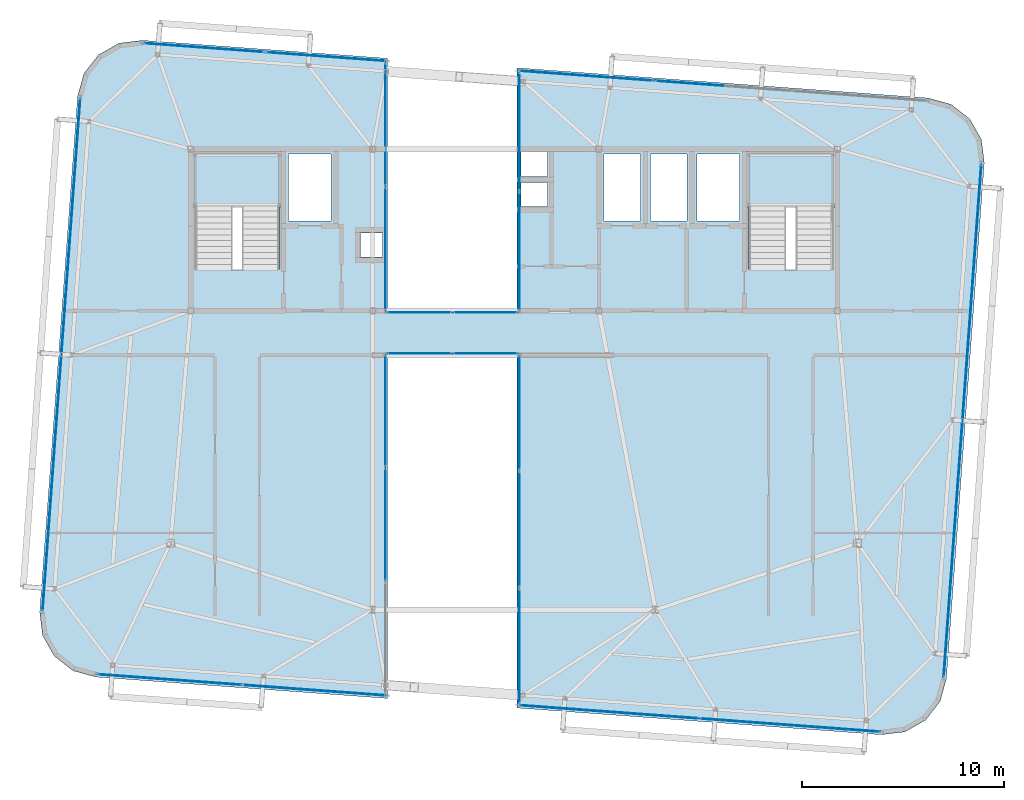
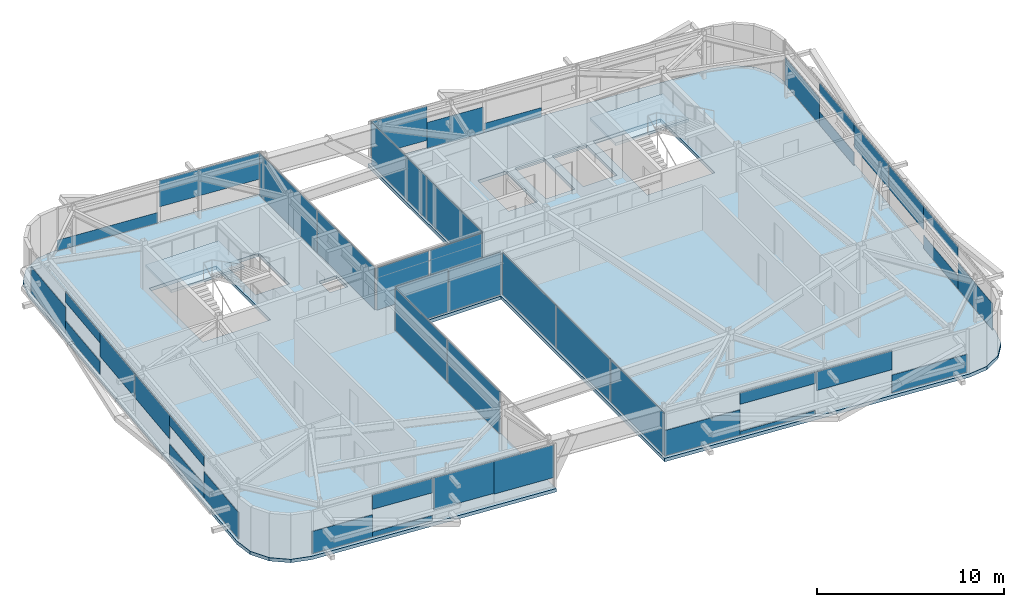
# One storey, part 27 of 40: 44 plates, 3 slabs, 14 elements without a shape of their own.
"""IFC4 building model written with IfcOpenShell, lengths in metres."""

from ifc_helpers import new_model, si_unit, direction, frame, origin, origin_2d, place, context, subcontext, project, spatial, polyline, rectangle, outline, extrude, source, transform, mapped, material, layer, layer_set, type_object, element, aggregate, save


model = new_model("IFC4")

# Units and contexts
model_context = context("Model", 3, precision=1e-05, world=origin(), true_north=direction((0.0, 1.0)))
body_context = subcontext(model_context, "Body", "Model", "MODEL_VIEW")
ifc_project = project(units=[si_unit("LENGTHUNIT", "METRE"), si_unit("AREAUNIT", "SQUARE_METRE"), si_unit("VOLUMEUNIT", "CUBIC_METRE"), si_unit("PLANEANGLEUNIT", "RADIAN"), si_unit("MASSUNIT", "GRAM", prefix="KILO")], contexts=[model_context])

# Site, building, storey
site_placement = place(None, origin())
site = spatial("IfcSite", under=ifc_project, at=site_placement, CompositionType="ELEMENT")
building_placement = place(site_placement, origin())
building = spatial("IfcBuilding", under=site, at=building_placement, Name="Taldren Reach Tower", CompositionType="ELEMENT")
storey_placement = place(building_placement, frame((0.0, 0.0, 233.449951171875)))
storey = spatial("IfcBuildingStorey", under=building, at=storey_placement, Name="L71", CompositionType="ELEMENT", Elevation=233.449951171875)

# Slab
ifc_material_1 = material(Name="Concrete N40 (40 MPa)", Category="concrete")
ifc_layer_1 = layer(ifc_material_1, 0.219970703125)
ifc_layer_set_1 = layer_set([ifc_layer_1], Name="Concrete N40 (40 MPa)")
slab_type_1 = type_object("IfcSlabType", Name="SL-FLR-220", PredefinedType="FLOOR", material=ifc_layer_set_1)
slab_1_placement = place(storey_placement, frame((0.0, 0.0, -0.219970703125)))
element("IfcSlab", 1, at=slab_1_placement, inside=storey, type_object=slab_type_1, Name="Suspended floor slab L71", PredefinedType="FLOOR", context=body_context, shape_type="SweptSolid", body=[
    extrude(outline(polyline([(55.5048828125, 34.529541015625), (56.633056640625, 34.217529296875), (57.55615234375, 33.497802734375), (58.13330078125, 32.4794921875), (58.277099609375, 31.31787109375), (56.402099609375, 5.78662109375), (56.09033203125, 4.658203125), (55.370361328125, 3.7353515625), (54.35205078125, 3.157958984375), (53.1904296875, 3.014404296875), (35.14990234375, 4.339111328125), (35.14990234375, 21.800048828125), (28.75, 21.800048828125), (28.75, 4.80908203125), (14.295166015625, 5.87060546875), (13.1669921875, 6.182373046875), (12.243896484375, 6.90234375), (11.666748046875, 7.920654296875), (11.52294921875, 9.082275390625), (13.39794921875, 34.613525390625), (13.709716796875, 35.74169921875), (14.429443359375, 36.664794921875), (15.44775390625, 37.241943359375), (16.609619140625, 37.3857421875), (28.75, 36.494140625), (28.75, 24.0), (35.14990234375, 24.0), (35.14990234375, 36.024169921875), (55.5048828125, 34.529541015625)]), holes=[polyline([(19.219970703125, 26.050048828125), (23.3798828125, 26.050048828125), (23.3798828125, 31.820068359375), (19.219970703125, 31.820068359375), (19.219970703125, 26.050048828125)]), polyline([(46.6201171875, 26.050048828125), (50.780029296875, 26.050048828125), (50.780029296875, 31.820068359375), (46.6201171875, 31.820068359375), (46.6201171875, 26.050048828125)]), polyline([(23.85009765625, 28.449951171875), (25.949951171875, 28.449951171875), (25.949951171875, 31.75), (23.85009765625, 31.75), (23.85009765625, 28.449951171875)]), polyline([(44.050048828125, 28.449951171875), (46.14990234375, 28.449951171875), (46.14990234375, 31.75), (44.050048828125, 31.75), (44.050048828125, 28.449951171875)]), polyline([(39.449951171875, 28.449951171875), (41.25, 28.449951171875), (41.25, 31.75), (39.449951171875, 31.75), (39.449951171875, 28.449951171875)]), polyline([(41.75, 28.449951171875), (43.550048828125, 28.449951171875), (43.550048828125, 31.75), (41.75, 31.75), (41.75, 28.449951171875)]), polyline([(35.35009765625, 30.64990234375), (36.64990234375, 30.64990234375), (36.64990234375, 31.85009765625), (35.35009765625, 31.85009765625), (35.35009765625, 30.64990234375)]), polyline([(35.35009765625, 29.14990234375), (36.64990234375, 29.14990234375), (36.64990234375, 30.35009765625), (35.35009765625, 30.35009765625), (35.35009765625, 29.14990234375)]), polyline([(27.39990234375, 26.64990234375), (28.5, 26.64990234375), (28.5, 27.85009765625), (27.39990234375, 27.85009765625), (27.39990234375, 26.64990234375)])]), origin(), (0.0, 0.0, 1.0), 0.219970703125),
])

# Stair, slab
ifc_material_2 = material(Name="Concrete S50 (50 MPa)", Category="concrete")
stair_type = type_object("IfcStairType", Name="ST-HT-315", PredefinedType="HALF_TURN_STAIR", material=ifc_material_2)
stair_1_placement = place(storey_placement, origin())
stair_1 = element("IfcStair", 2, at=stair_1_placement, inside=storey, type_object=stair_type, Name="Fire-isolated exit stair ST1 L71", PredefinedType="HALF_TURN_STAIR")
ifc_layer_2 = layer(ifc_material_2, 0.179931640625)
ifc_layer_set_2 = layer_set([ifc_layer_2], Name="Concrete S50 (50 MPa)")
slab_type_2 = type_object("IfcSlabType", Name="SL-LAND-180", PredefinedType="LANDING", material=ifc_layer_set_2)
slab_2_placement = place(storey_placement, frame((0.0, 0.0, 1.39501953125)))
slab_2 = element("IfcSlab", 3, at=slab_2_placement, type_object=slab_type_2, Name="ST1 landing 1", PredefinedType="LANDING", context=body_context, shape_type="SweptSolid", body=[
    extrude(outline(polyline([(19.0400390625, 29.135009765625), (23.56005859375, 29.135009765625), (23.56005859375, 31.8701171875), (19.0400390625, 31.8701171875), (19.0400390625, 29.135009765625)])), origin(), (0.0, 0.0, 1.0), 0.179931640625),
])
aggregate(stair_1, [slab_2])

stair_2_placement = place(storey_placement, origin())
stair_2 = element("IfcStair", 4, at=stair_2_placement, inside=storey, type_object=stair_type, Name="Fire-isolated exit stair ST2 L71", PredefinedType="HALF_TURN_STAIR")
slab_3_placement = place(storey_placement, frame((0.0, 0.0, 1.39501953125)))
slab_3 = element("IfcSlab", 5, at=slab_3_placement, type_object=slab_type_2, Name="ST2 landing 1", PredefinedType="LANDING", context=body_context, shape_type="SweptSolid", body=[
    extrude(outline(polyline([(46.43994140625, 29.135009765625), (50.9599609375, 29.135009765625), (50.9599609375, 31.8701171875), (46.43994140625, 31.8701171875), (46.43994140625, 29.135009765625)])), origin(), (0.0, 0.0, 1.0), 0.179931640625),
])
aggregate(stair_2, [slab_3])

# Curtain wall, plates
ifc_material_3 = material(Name="Aluminium and Low-E Glass Unitised System", Category="aluminium")
ifc_layer_3 = layer(ifc_material_3, 0.159912109375)
ifc_layer_set_3 = layer_set([ifc_layer_3], Name="Aluminium and Low-E Glass Unitised System")
curtain_wall_type = type_object("IfcCurtainWallType", Name="CW-SYS-7", PredefinedType="NOTDEFINED", material=ifc_layer_set_3)
curtain_wall_1_placement = place(storey_placement, origin())
curtain_wall_1 = element("IfcCurtainWall", 6, at=curtain_wall_1_placement, inside=storey, type_object=curtain_wall_type, Name="Unitised curtain wall CW7-L71-BRS", PredefinedType="NOTDEFINED")
ifc_material_4 = material(Name="Acoustic Triple-Laminated IGU", Category="glass")
ifc_layer_4 = layer(ifc_material_4, 0.035888671875)
ifc_layer_set_4 = layer_set([ifc_layer_4], Name="Acoustic Triple-Laminated IGU")
plate_type = type_object("IfcPlateType", Name="CW-PNL-IGU36", PredefinedType="CURTAIN_PANEL", material=ifc_layer_set_4)
shared_shape_1 = source(origin(), body_context, "Body", "SweptSolid", [
    extrude(rectangle(XDim=3.197509765625, YDim=0.035888671875, at=origin_2d()), origin(), (0.0, 0.0, 1.0), 2.75),
])
plate_1_placement = place(storey_placement, frame((30.313720703125, 21.8798828125, 0.06005859375), z_axis=(0.0, 0.0, 1.0), x_axis=(1.0, 0.0, 0.0)))
plate_1 = element("IfcPlate", 7, at=plate_1_placement, type_object=plate_type, Name="CW-7 panel 1.1", PredefinedType="CURTAIN_PANEL", context=body_context, shape_type="MappedRepresentation", body=[
    mapped(shared_shape_1, transform((0.0, 0.0, 0.0), scale=1.0)),
])
plate_2_placement = place(storey_placement, frame((33.586181640625, 21.8798828125, 0.06005859375), z_axis=(0.0, 0.0, 1.0), x_axis=(1.0, 0.0, 0.0)))
plate_2 = element("IfcPlate", 8, at=plate_2_placement, type_object=plate_type, Name="CW-7 panel 2.1", PredefinedType="CURTAIN_PANEL", context=body_context, shape_type="MappedRepresentation", body=[
    mapped(shared_shape_1, transform((0.0, 0.0, 0.0), scale=1.0)),
])
aggregate(curtain_wall_1, [plate_1, plate_2])

curtain_wall_2_placement = place(storey_placement, origin())
curtain_wall_2 = element("IfcCurtainWall", 9, at=curtain_wall_2_placement, inside=storey, type_object=curtain_wall_type, Name="Unitised curtain wall CW7-L71-BRN", PredefinedType="NOTDEFINED")
plate_3_placement = place(storey_placement, frame((33.586181640625, 23.919921875, 0.06005859375), z_axis=(0.0, 0.0, 1.0), x_axis=(-1.0, 0.0, 0.0)))
plate_3 = element("IfcPlate", 10, at=plate_3_placement, type_object=plate_type, Name="CW-7 panel 1.1", PredefinedType="CURTAIN_PANEL", context=body_context, shape_type="MappedRepresentation", body=[
    mapped(shared_shape_1, transform((0.0, 0.0, 0.0), scale=1.0)),
])
plate_4_placement = place(storey_placement, frame((30.313720703125, 23.919921875, 0.06005859375), z_axis=(0.0, 0.0, 1.0), x_axis=(-1.0, 0.0, 0.0)))
plate_4 = element("IfcPlate", 11, at=plate_4_placement, type_object=plate_type, Name="CW-7 panel 2.1", PredefinedType="CURTAIN_PANEL", context=body_context, shape_type="MappedRepresentation", body=[
    mapped(shared_shape_1, transform((0.0, 0.0, 0.0), scale=1.0)),
])
aggregate(curtain_wall_2, [plate_3, plate_4])

curtain_wall_3_placement = place(storey_placement, origin())
curtain_wall_3 = element("IfcCurtainWall", 12, at=curtain_wall_3_placement, inside=storey, type_object=curtain_wall_type, Name="Unitised curtain wall CW7-L71-PSW", PredefinedType="NOTDEFINED")
shared_shape_2 = source(origin(), body_context, "Body", "SweptSolid", [
    extrude(rectangle(XDim=5.568603515625, YDim=0.035888671875, at=origin_2d()), origin(), (0.0, 0.0, 1.0), 2.75),
])
plate_5_placement = place(storey_placement, frame((28.639892578125, 13.414794921875, 0.06005859375), z_axis=(0.0, 0.0, 1.0), x_axis=(0.0, 1.0, 0.0)))
plate_5 = element("IfcPlate", 13, at=plate_5_placement, type_object=plate_type, Name="CW-7 panel 2.1", PredefinedType="CURTAIN_PANEL", context=body_context, shape_type="MappedRepresentation", body=[
    mapped(shared_shape_2, transform((0.0, 0.0, 0.0), scale=1.0)),
])
shared_shape_3 = source(origin(), body_context, "Body", "SweptSolid", [
    extrude(rectangle(XDim=5.531005859375, YDim=0.035888671875, at=origin_2d()), origin(), (0.0, 0.0, 1.0), 2.75),
])
plate_6_placement = place(storey_placement, frame((28.639892578125, 19.03955078125, 0.06005859375), z_axis=(0.0, 0.0, 1.0), x_axis=(0.0, 1.0, 0.0)))
plate_6 = element("IfcPlate", 14, at=plate_6_placement, type_object=plate_type, Name="CW-7 panel 3.1", PredefinedType="CURTAIN_PANEL", context=body_context, shape_type="MappedRepresentation", body=[
    mapped(shared_shape_3, transform((0.0, 0.0, 0.0), scale=1.0)),
])
aggregate(curtain_wall_3, [plate_5, plate_6])

curtain_wall_4_placement = place(storey_placement, origin())
curtain_wall_4 = element("IfcCurtainWall", 15, at=curtain_wall_4_placement, inside=storey, type_object=curtain_wall_type, Name="Unitised curtain wall CW7-L71-PSE", PredefinedType="NOTDEFINED")
shared_shape_4 = source(origin(), body_context, "Body", "SweptSolid", [
    extrude(rectangle(XDim=5.687744140625, YDim=0.035888671875, at=origin_2d()), origin(), (0.0, 0.0, 1.0), 2.75),
])
plate_7_placement = place(storey_placement, frame((35.260009765625, 18.961181640625, 0.06005859375), z_axis=(0.0, 0.0, 1.0), x_axis=(0.0, -1.0, 0.0)))
plate_7 = element("IfcPlate", 16, at=plate_7_placement, type_object=plate_type, Name="CW-7 panel 1.1", PredefinedType="CURTAIN_PANEL", context=body_context, shape_type="MappedRepresentation", body=[
    mapped(shared_shape_4, transform((0.0, 0.0, 0.0), scale=1.0)),
])
plate_8_placement = place(storey_placement, frame((35.260009765625, 7.3984375, 0.06005859375), z_axis=(0.0, 0.0, 1.0), x_axis=(0.0, -1.0, 0.0)))
plate_8 = element("IfcPlate", 17, at=plate_8_placement, type_object=plate_type, Name="CW-7 panel 3.1", PredefinedType="CURTAIN_PANEL", context=body_context, shape_type="MappedRepresentation", body=[
    mapped(shared_shape_4, transform((0.0, 0.0, 0.0), scale=1.0)),
])
shared_shape_5 = source(origin(), body_context, "Body", "SweptSolid", [
    extrude(rectangle(XDim=5.72509765625, YDim=0.035888671875, at=origin_2d()), origin(), (0.0, 0.0, 1.0), 2.75),
])
plate_9_placement = place(storey_placement, frame((35.260009765625, 13.1796875, 0.06005859375), z_axis=(0.0, 0.0, 1.0), x_axis=(0.0, -1.0, 0.0)))
plate_9 = element("IfcPlate", 18, at=plate_9_placement, type_object=plate_type, Name="CW-7 panel 2.1", PredefinedType="CURTAIN_PANEL", context=body_context, shape_type="MappedRepresentation", body=[
    mapped(shared_shape_5, transform((0.0, 0.0, 0.0), scale=1.0)),
])
aggregate(curtain_wall_4, [plate_7, plate_9, plate_8])

curtain_wall_5_placement = place(storey_placement, origin())
curtain_wall_5 = element("IfcCurtainWall", 19, at=curtain_wall_5_placement, inside=storey, type_object=curtain_wall_type, Name="Unitised curtain wall CW7-L71-PNW", PredefinedType="NOTDEFINED")
shared_shape_6 = source(origin(), body_context, "Body", "SweptSolid", [
    extrude(rectangle(XDim=6.1044921875, YDim=0.035888671875, at=origin_2d()), origin(), (0.0, 0.0, 1.0), 2.75),
])
plate_10_placement = place(storey_placement, frame((28.639892578125, 27.047119140625, 0.06005859375), z_axis=(0.0, 0.0, 1.0), x_axis=(0.0, 1.0, 0.0)))
plate_10 = element("IfcPlate", 20, at=plate_10_placement, type_object=plate_type, Name="CW-7 panel 1.1", PredefinedType="CURTAIN_PANEL", context=body_context, shape_type="MappedRepresentation", body=[
    mapped(shared_shape_6, transform((0.0, 0.0, 0.0), scale=1.0)),
])
plate_11_placement = place(storey_placement, frame((28.639892578125, 33.2265625, 0.06005859375), z_axis=(0.0, 0.0, 1.0), x_axis=(0.0, 1.0, 0.0)))
plate_11 = element("IfcPlate", 21, at=plate_11_placement, type_object=plate_type, Name="CW-7 panel 2.1", PredefinedType="CURTAIN_PANEL", context=body_context, shape_type="MappedRepresentation", body=[
    mapped(shared_shape_6, transform((0.0, 0.0, 0.0), scale=1.0)),
])
aggregate(curtain_wall_5, [plate_10, plate_11])

curtain_wall_6_placement = place(storey_placement, origin())
curtain_wall_6 = element("IfcCurtainWall", 22, at=curtain_wall_6_placement, inside=storey, type_object=curtain_wall_type, Name="Unitised curtain wall CW7-L71-PNE", PredefinedType="NOTDEFINED")
shared_shape_7 = source(origin(), body_context, "Body", "SweptSolid", [
    extrude(rectangle(XDim=5.869384765625, YDim=0.035888671875, at=origin_2d()), origin(), (0.0, 0.0, 1.0), 2.75),
])
plate_12_placement = place(storey_placement, frame((35.260009765625, 32.8740234375, 0.06005859375), z_axis=(0.0, 0.0, 1.0), x_axis=(0.0, -1.0, 0.0)))
plate_12 = element("IfcPlate", 23, at=plate_12_placement, type_object=plate_type, Name="CW-7 panel 1.1", PredefinedType="CURTAIN_PANEL", context=body_context, shape_type="MappedRepresentation", body=[
    mapped(shared_shape_7, transform((0.0, 0.0, 0.0), scale=1.0)),
])
plate_13_placement = place(storey_placement, frame((35.260009765625, 26.9296875, 0.06005859375), z_axis=(0.0, 0.0, 1.0), x_axis=(0.0, -1.0, 0.0)))
plate_13 = element("IfcPlate", 24, at=plate_13_placement, type_object=plate_type, Name="CW-7 panel 2.1", PredefinedType="CURTAIN_PANEL", context=body_context, shape_type="MappedRepresentation", body=[
    mapped(shared_shape_7, transform((0.0, 0.0, 0.0), scale=1.0)),
])
aggregate(curtain_wall_6, [plate_12, plate_13])

curtain_wall_7_placement = place(storey_placement, origin())
curtain_wall_7 = element("IfcCurtainWall", 25, at=curtain_wall_7_placement, inside=storey, type_object=curtain_wall_type, Name="Unitised curtain wall CW-L71-SWING", PredefinedType="NOTDEFINED")
shared_shape_8 = source(origin(), body_context, "Body", "SweptSolid", [
    extrude(rectangle(XDim=3.564697265625, YDim=0.035888671875, at=origin_2d()), origin(), (0.0, 0.0, 1.0), 1.454833984375),
])
plate_14_placement = place(storey_placement, frame((16.15771484375, 5.874267578125, 0.06005859375), z_axis=(0.0, 0.0, 1.0), x_axis=(0.997314480811, -0.073238148285, 0.0)))
plate_14 = element("IfcPlate", 26, at=plate_14_placement, type_object=plate_type, Name="CW-7 panel 1.1 part 1", PredefinedType="CURTAIN_PANEL", context=body_context, shape_type="MappedRepresentation", body=[
    mapped(shared_shape_8, transform((0.0, 0.0, 0.0), scale=1.0)),
])
shared_shape_9 = source(origin(), body_context, "Body", "SweptSolid", [
    extrude(rectangle(XDim=3.564697265625, YDim=0.035888671875, at=origin_2d()), origin(), (0.0, 0.0, 1.0), 0.325439453125),
])
plate_15_placement = place(storey_placement, frame((19.712890625, 5.613037109375, 0.06005859375), z_axis=(0.0, 0.0, 1.0), x_axis=(0.997314480811, -0.073238148285, 0.0)))
plate_15 = element("IfcPlate", 27, at=plate_15_placement, type_object=plate_type, Name="CW-7 panel 1.1 part 2", PredefinedType="CURTAIN_PANEL", context=body_context, shape_type="MappedRepresentation", body=[
    mapped(shared_shape_9, transform((0.0, 0.0, 0.0), scale=1.0)),
])
shared_shape_10 = source(origin(), body_context, "Body", "SweptSolid", [
    extrude(rectangle(XDim=3.564697265625, YDim=0.035888671875, at=origin_2d()), origin(), (0.0, 0.0, 1.0), 0.9443359375),
])
plate_16_placement = place(storey_placement, frame((19.712890625, 5.613037109375, 1.86572265625), z_axis=(0.0, 0.0, 1.0), x_axis=(0.997314480811, -0.073238148285, 0.0)))
plate_16 = element("IfcPlate", 28, at=plate_16_placement, type_object=plate_type, Name="CW-7 panel 1.1 part 3", PredefinedType="CURTAIN_PANEL", context=body_context, shape_type="MappedRepresentation", body=[
    mapped(shared_shape_10, transform((0.0, 0.0, 0.0), scale=1.0)),
])
shared_shape_11 = source(origin(), body_context, "Body", "SweptSolid", [
    extrude(rectangle(XDim=3.564697265625, YDim=0.035888671875, at=origin_2d()), origin(), (0.0, 0.0, 1.0), 2.097412109375),
])
plate_17_placement = place(storey_placement, frame((23.342529296875, 5.346435546875, 0.71240234375), z_axis=(0.0, 0.0, 1.0), x_axis=(0.997314480811, -0.073238148285, 0.0)))
plate_17 = element("IfcPlate", 29, at=plate_17_placement, type_object=plate_type, Name="CW-7 panel 2.1 part 1", PredefinedType="CURTAIN_PANEL", context=body_context, shape_type="MappedRepresentation", body=[
    mapped(shared_shape_11, transform((0.0, 0.0, 0.0), scale=1.0)),
])
shared_shape_12 = source(origin(), body_context, "Body", "SweptSolid", [
    extrude(rectangle(XDim=3.564697265625, YDim=0.035888671875, at=origin_2d()), origin(), (0.0, 0.0, 1.0), 2.148193359375),
])
plate_18_placement = place(storey_placement, frame((26.897705078125, 5.08544921875, 0.66162109375), z_axis=(0.0, 0.0, 1.0), x_axis=(0.997314480811, -0.073238148285, 0.0)))
plate_18 = element("IfcPlate", 30, at=plate_18_placement, type_object=plate_type, Name="CW-7 panel 2.1 part 2", PredefinedType="CURTAIN_PANEL", context=body_context, shape_type="MappedRepresentation", body=[
    mapped(shared_shape_12, transform((0.0, 0.0, 0.0), scale=1.0)),
])
aggregate(curtain_wall_7, [plate_14, plate_15, plate_16, plate_17, plate_18])

curtain_wall_8_placement = place(storey_placement, origin())
curtain_wall_8 = element("IfcCurtainWall", 31, at=curtain_wall_8_placement, inside=storey, type_object=curtain_wall_type, Name="Unitised curtain wall CW-L71-SEWING", PredefinedType="NOTDEFINED")
shared_shape_13 = source(origin(), body_context, "Body", "SweptSolid", [
    extrude(rectangle(XDim=4.468505859375, YDim=0.035888671875, at=origin_2d()), origin(), (0.0, 0.0, 1.0), 1.65625),
])
plate_19_placement = place(storey_placement, frame((37.453125, 4.310302734375, 0.06005859375), z_axis=(0.0, 0.0, 1.0), x_axis=(0.997314485363, -0.073238086301, 0.0)))
plate_19 = element("IfcPlate", 32, at=plate_19_placement, type_object=plate_type, Name="CW-7 panel 1.1 part 1", PredefinedType="CURTAIN_PANEL", context=body_context, shape_type="MappedRepresentation", body=[
    mapped(shared_shape_13, transform((0.0, 0.0, 0.0), scale=1.0)),
])
shared_shape_14 = source(origin(), body_context, "Body", "SweptSolid", [
    extrude(rectangle(XDim=4.468505859375, YDim=0.035888671875, at=origin_2d()), origin(), (0.0, 0.0, 1.0), 0.240234375),
])
plate_20_placement = place(storey_placement, frame((41.90966796875, 3.983154296875, 0.06005859375), z_axis=(0.0, 0.0, 1.0), x_axis=(0.997314485363, -0.073238086301, 0.0)))
plate_20 = element("IfcPlate", 33, at=plate_20_placement, type_object=plate_type, Name="CW-7 panel 1.1 part 2", PredefinedType="CURTAIN_PANEL", context=body_context, shape_type="MappedRepresentation", body=[
    mapped(shared_shape_14, transform((0.0, 0.0, 0.0), scale=1.0)),
])
shared_shape_15 = source(origin(), body_context, "Body", "SweptSolid", [
    extrude(rectangle(XDim=4.468505859375, YDim=0.035888671875, at=origin_2d()), origin(), (0.0, 0.0, 1.0), 0.742919921875),
])
plate_21_placement = place(storey_placement, frame((41.90966796875, 3.983154296875, 2.06689453125), z_axis=(0.0, 0.0, 1.0), x_axis=(0.997314485363, -0.073238086301, 0.0)))
plate_21 = element("IfcPlate", 34, at=plate_21_placement, type_object=plate_type, Name="CW-7 panel 1.1 part 3", PredefinedType="CURTAIN_PANEL", context=body_context, shape_type="MappedRepresentation", body=[
    mapped(shared_shape_15, transform((0.0, 0.0, 0.0), scale=1.0)),
])
shared_shape_16 = source(origin(), body_context, "Body", "SweptSolid", [
    extrude(rectangle(XDim=4.468505859375, YDim=0.035888671875, at=origin_2d()), origin(), (0.0, 0.0, 1.0), 1.230712890625),
])
plate_22_placement = place(storey_placement, frame((46.441162109375, 3.650390625, 1.57958984375), z_axis=(0.0, 0.0, 1.0), x_axis=(0.997314485363, -0.073238086301, 0.0)))
plate_22 = element("IfcPlate", 35, at=plate_22_placement, type_object=plate_type, Name="CW-7 panel 2.1 part 1", PredefinedType="CURTAIN_PANEL", context=body_context, shape_type="MappedRepresentation", body=[
    mapped(shared_shape_16, transform((0.0, 0.0, 0.0), scale=1.0)),
])
shared_shape_17 = source(origin(), body_context, "Body", "SweptSolid", [
    extrude(rectangle(XDim=4.468505859375, YDim=0.035888671875, at=origin_2d()), origin(), (0.0, 0.0, 1.0), 1.16845703125),
])
plate_23_placement = place(storey_placement, frame((50.897705078125, 3.322998046875, 0.06005859375), z_axis=(0.0, 0.0, 1.0), x_axis=(0.997314485363, -0.073238086301, 0.0)))
plate_23 = element("IfcPlate", 36, at=plate_23_placement, type_object=plate_type, Name="CW-7 panel 2.1 part 2", PredefinedType="CURTAIN_PANEL", context=body_context, shape_type="MappedRepresentation", body=[
    mapped(shared_shape_17, transform((0.0, 0.0, 0.0), scale=1.0)),
])
aggregate(curtain_wall_8, [plate_19, plate_20, plate_21, plate_22, plate_23])

curtain_wall_9_placement = place(storey_placement, origin())
curtain_wall_9 = element("IfcCurtainWall", 37, at=curtain_wall_9_placement, inside=storey, type_object=curtain_wall_type, Name="Unitised curtain wall CW-L71-NEWING", PredefinedType="NOTDEFINED")
shared_shape_18 = source(origin(), body_context, "Body", "SweptSolid", [
    extrude(rectangle(XDim=3.3623046875, YDim=0.035888671875, at=origin_2d()), origin(), (0.0, 0.0, 1.0), 0.5927734375),
])
plate_24_placement = place(storey_placement, frame((43.6455078125, 35.260009765625, 0.06005859375), z_axis=(0.0, 0.0, 1.0), x_axis=(-0.997314475893, 0.073238215265, 0.0)))
plate_24 = element("IfcPlate", 38, at=plate_24_placement, type_object=plate_type, Name="CW-7 panel 2.1 part 2", PredefinedType="CURTAIN_PANEL", context=body_context, shape_type="MappedRepresentation", body=[
    mapped(shared_shape_18, transform((0.0, 0.0, 0.0), scale=1.0)),
])
shared_shape_19 = source(origin(), body_context, "Body", "SweptSolid", [
    extrude(rectangle(XDim=3.34375, YDim=0.035888671875, at=origin_2d()), origin(), (0.0, 0.0, 1.0), 1.681884765625),
])
plate_25_placement = place(storey_placement, frame((40.226806640625, 35.510986328125, 0.06005859375), z_axis=(0.0, 0.0, 1.0), x_axis=(-0.997314475893, 0.073238215265, 0.0)))
plate_25 = element("IfcPlate", 39, at=plate_25_placement, type_object=plate_type, Name="CW-7 panel 3.1 part 1", PredefinedType="CURTAIN_PANEL", context=body_context, shape_type="MappedRepresentation", body=[
    mapped(shared_shape_19, transform((0.0, 0.0, 0.0), scale=1.0)),
])
shared_shape_20 = source(origin(), body_context, "Body", "SweptSolid", [
    extrude(rectangle(XDim=3.34375, YDim=0.035888671875, at=origin_2d()), origin(), (0.0, 0.0, 1.0), 2.2314453125),
])
plate_26_placement = place(storey_placement, frame((36.89208984375, 35.755859375, 0.57861328125), z_axis=(0.0, 0.0, 1.0), x_axis=(-0.997314475893, 0.073238215265, 0.0)))
plate_26 = element("IfcPlate", 40, at=plate_26_placement, type_object=plate_type, Name="CW-7 panel 3.1 part 2", PredefinedType="CURTAIN_PANEL", context=body_context, shape_type="MappedRepresentation", body=[
    mapped(shared_shape_20, transform((0.0, 0.0, 0.0), scale=1.0)),
])
aggregate(curtain_wall_9, [plate_24, plate_25, plate_26])

curtain_wall_10_placement = place(storey_placement, origin())
curtain_wall_10 = element("IfcCurtainWall", 41, at=curtain_wall_10_placement, inside=storey, type_object=curtain_wall_type, Name="Unitised curtain wall CW-L71-NWING", PredefinedType="NOTDEFINED")
shared_shape_21 = source(origin(), body_context, "Body", "SweptSolid", [
    extrude(rectangle(XDim=5.979248046875, YDim=0.035888671875, at=origin_2d()), origin(), (0.0, 0.0, 1.0), 1.733154296875),
])
plate_27_placement = place(storey_placement, frame((25.693603515625, 36.578125, 1.0771484375), z_axis=(0.0, 0.0, 1.0), x_axis=(-0.99731449581, 0.073237944038, 0.0)))
plate_27 = element("IfcPlate", 42, at=plate_27_placement, type_object=plate_type, Name="CW-7 panel 1.1 part 1", PredefinedType="CURTAIN_PANEL", context=body_context, shape_type="MappedRepresentation", body=[
    mapped(shared_shape_21, transform((0.0, 0.0, 0.0), scale=1.0)),
])
shared_shape_22 = source(origin(), body_context, "Body", "SweptSolid", [
    extrude(rectangle(XDim=5.979248046875, YDim=0.035888671875, at=origin_2d()), origin(), (0.0, 0.0, 1.0), 0.689697265625),
])
plate_28_placement = place(storey_placement, frame((19.65576171875, 37.021728515625, 0.06005859375), z_axis=(0.0, 0.0, 1.0), x_axis=(-0.99731449581, 0.073237944038, 0.0)))
plate_28 = element("IfcPlate", 43, at=plate_28_placement, type_object=plate_type, Name="CW-7 panel 2.1 part 1", PredefinedType="CURTAIN_PANEL", context=body_context, shape_type="MappedRepresentation", body=[
    mapped(shared_shape_22, transform((0.0, 0.0, 0.0), scale=1.0)),
])
aggregate(curtain_wall_10, [plate_27, plate_28])

curtain_wall_11_placement = place(storey_placement, origin())
curtain_wall_11 = element("IfcCurtainWall", 44, at=curtain_wall_11_placement, inside=storey, type_object=curtain_wall_type, Name="Unitised curtain wall CW-L71-W", PredefinedType="NOTDEFINED")
shared_shape_23 = source(origin(), body_context, "Body", "SweptSolid", [
    extrude(rectangle(XDim=4.229248046875, YDim=0.035888671875, at=origin_2d()), origin(), (0.0, 0.0, 1.0), 1.724853515625),
])
plate_29_placement = place(storey_placement, frame((13.377197265625, 32.41943359375, 0.06005859375), z_axis=(0.0, 0.0, 1.0), x_axis=(-0.073238282558, -0.997314470951, 0.0)))
plate_29 = element("IfcPlate", 45, at=plate_29_placement, type_object=plate_type, Name="CW-7 panel 1.1 part 1", PredefinedType="CURTAIN_PANEL", context=body_context, shape_type="MappedRepresentation", body=[
    mapped(shared_shape_23, transform((0.0, 0.0, 0.0), scale=1.0)),
])
plate_30_placement = place(storey_placement, frame((11.822998046875, 11.255615234375, 0.06005859375), z_axis=(0.0, 0.0, 1.0), x_axis=(-0.073238282558, -0.997314470951, 0.0)))
plate_30 = element("IfcPlate", 46, at=plate_30_placement, type_object=plate_type, Name="CW-7 panel 2.1 part 4", PredefinedType="CURTAIN_PANEL", context=body_context, shape_type="MappedRepresentation", body=[
    mapped(shared_shape_23, transform((0.0, 0.0, 0.0), scale=1.0)),
])

curtain_wall_12_placement = place(storey_placement, origin())
curtain_wall_12 = element("IfcCurtainWall", 47, at=curtain_wall_12_placement, inside=storey, type_object=curtain_wall_type, Name="Unitised curtain wall CW-L71-E", PredefinedType="NOTDEFINED")
plate_31_placement = place(storey_placement, frame((56.4228515625, 7.98046875, 0.06005859375), z_axis=(0.0, 0.0, 1.0), x_axis=(0.073238282558, 0.997314470951, 0.0)))
plate_31 = element("IfcPlate", 48, at=plate_31_placement, type_object=plate_type, Name="CW-7 panel 1.1 part 1", PredefinedType="CURTAIN_PANEL", context=body_context, shape_type="MappedRepresentation", body=[
    mapped(shared_shape_23, transform((0.0, 0.0, 0.0), scale=1.0)),
])
plate_32_placement = place(storey_placement, frame((57.97705078125, 29.144287109375, 0.06005859375), z_axis=(0.0, 0.0, 1.0), x_axis=(0.073238282558, 0.997314470951, 0.0)))
plate_32 = element("IfcPlate", 49, at=plate_32_placement, type_object=plate_type, Name="CW-7 panel 2.1 part 4", PredefinedType="CURTAIN_PANEL", context=body_context, shape_type="MappedRepresentation", body=[
    mapped(shared_shape_23, transform((0.0, 0.0, 0.0), scale=1.0)),
])

# Plate
shared_shape_24 = source(origin(), body_context, "Body", "SweptSolid", [
    extrude(rectangle(XDim=4.229248046875, YDim=0.035888671875, at=origin_2d()), origin(), (0.0, 0.0, 1.0), 0.86083984375),
])
plate_33_placement = place(storey_placement, frame((13.0673828125, 28.20166015625, 0.06005859375), z_axis=(0.0, 0.0, 1.0), x_axis=(-0.073238282558, -0.997314470951, 0.0)))
plate_33 = element("IfcPlate", 50, at=plate_33_placement, type_object=plate_type, Name="CW-7 panel 1.1 part 2", PredefinedType="CURTAIN_PANEL", context=body_context, shape_type="MappedRepresentation", body=[
    mapped(shared_shape_24, transform((0.0, 0.0, 0.0), scale=1.0)),
])

plate_34_placement = place(storey_placement, frame((12.1328125, 15.473388671875, 0.06005859375), z_axis=(0.0, 0.0, 1.0), x_axis=(-0.073238282558, -0.997314470951, 0.0)))
plate_34 = element("IfcPlate", 51, at=plate_34_placement, type_object=plate_type, Name="CW-7 panel 2.1 part 2", PredefinedType="CURTAIN_PANEL", context=body_context, shape_type="MappedRepresentation", body=[
    mapped(shared_shape_24, transform((0.0, 0.0, 0.0), scale=1.0)),
])

plate_35_placement = place(storey_placement, frame((56.732666015625, 12.1982421875, 0.06005859375), z_axis=(0.0, 0.0, 1.0), x_axis=(0.073238282558, 0.997314470951, 0.0)))
plate_35 = element("IfcPlate", 52, at=plate_35_placement, type_object=plate_type, Name="CW-7 panel 1.1 part 2", PredefinedType="CURTAIN_PANEL", context=body_context, shape_type="MappedRepresentation", body=[
    mapped(shared_shape_24, transform((0.0, 0.0, 0.0), scale=1.0)),
])

plate_36_placement = place(storey_placement, frame((57.667236328125, 24.926513671875, 0.06005859375), z_axis=(0.0, 0.0, 1.0), x_axis=(0.073238282558, 0.997314470951, 0.0)))
plate_36 = element("IfcPlate", 53, at=plate_36_placement, type_object=plate_type, Name="CW-7 panel 2.1 part 2", PredefinedType="CURTAIN_PANEL", context=body_context, shape_type="MappedRepresentation", body=[
    mapped(shared_shape_24, transform((0.0, 0.0, 0.0), scale=1.0)),
])

shared_shape_25 = source(origin(), body_context, "Body", "SweptSolid", [
    extrude(rectangle(XDim=4.229248046875, YDim=0.035888671875, at=origin_2d()), origin(), (0.0, 0.0, 1.0), 0.683349609375),
])
plate_37_placement = place(storey_placement, frame((13.0673828125, 28.20166015625, 2.12646484375), z_axis=(0.0, 0.0, 1.0), x_axis=(-0.073238282558, -0.997314470951, 0.0)))
plate_37 = element("IfcPlate", 54, at=plate_37_placement, type_object=plate_type, Name="CW-7 panel 1.1 part 3", PredefinedType="CURTAIN_PANEL", context=body_context, shape_type="MappedRepresentation", body=[
    mapped(shared_shape_25, transform((0.0, 0.0, 0.0), scale=1.0)),
])

plate_38_placement = place(storey_placement, frame((12.1328125, 15.473388671875, 2.12646484375), z_axis=(0.0, 0.0, 1.0), x_axis=(-0.073238282558, -0.997314470951, 0.0)))
plate_38 = element("IfcPlate", 55, at=plate_38_placement, type_object=plate_type, Name="CW-7 panel 2.1 part 3", PredefinedType="CURTAIN_PANEL", context=body_context, shape_type="MappedRepresentation", body=[
    mapped(shared_shape_25, transform((0.0, 0.0, 0.0), scale=1.0)),
])

plate_39_placement = place(storey_placement, frame((56.732666015625, 12.1982421875, 2.12646484375), z_axis=(0.0, 0.0, 1.0), x_axis=(0.073238282558, 0.997314470951, 0.0)))
plate_39 = element("IfcPlate", 56, at=plate_39_placement, type_object=plate_type, Name="CW-7 panel 1.1 part 3", PredefinedType="CURTAIN_PANEL", context=body_context, shape_type="MappedRepresentation", body=[
    mapped(shared_shape_25, transform((0.0, 0.0, 0.0), scale=1.0)),
])

plate_40_placement = place(storey_placement, frame((57.667236328125, 24.926513671875, 2.12646484375), z_axis=(0.0, 0.0, 1.0), x_axis=(0.073238282558, 0.997314470951, 0.0)))
plate_40 = element("IfcPlate", 57, at=plate_40_placement, type_object=plate_type, Name="CW-7 panel 2.1 part 3", PredefinedType="CURTAIN_PANEL", context=body_context, shape_type="MappedRepresentation", body=[
    mapped(shared_shape_25, transform((0.0, 0.0, 0.0), scale=1.0)),
])

shared_shape_26 = source(origin(), body_context, "Body", "SweptSolid", [
    extrude(rectangle(XDim=4.229248046875, YDim=0.035888671875, at=origin_2d()), origin(), (0.0, 0.0, 1.0), 1.54736328125),
])
plate_41_placement = place(storey_placement, frame((12.757568359375, 23.98388671875, 1.2626953125), z_axis=(0.0, 0.0, 1.0), x_axis=(-0.073238282558, -0.997314470951, 0.0)))
plate_41 = element("IfcPlate", 58, at=plate_41_placement, type_object=plate_type, Name="CW-7 panel 1.1 part 4", PredefinedType="CURTAIN_PANEL", context=body_context, shape_type="MappedRepresentation", body=[
    mapped(shared_shape_26, transform((0.0, 0.0, 0.0), scale=1.0)),
])

plate_42_placement = place(storey_placement, frame((12.4423828125, 19.69140625, 1.2626953125), z_axis=(0.0, 0.0, 1.0), x_axis=(-0.073238282558, -0.997314470951, 0.0)))
plate_42 = element("IfcPlate", 59, at=plate_42_placement, type_object=plate_type, Name="CW-7 panel 2.1 part 1", PredefinedType="CURTAIN_PANEL", context=body_context, shape_type="MappedRepresentation", body=[
    mapped(shared_shape_26, transform((0.0, 0.0, 0.0), scale=1.0)),
])

aggregate(curtain_wall_11, [plate_29, plate_33, plate_37, plate_41, plate_42, plate_34, plate_38, plate_30])

plate_43_placement = place(storey_placement, frame((57.042236328125, 16.416015625, 1.2626953125), z_axis=(0.0, 0.0, 1.0), x_axis=(0.073238282558, 0.997314470951, 0.0)))
plate_43 = element("IfcPlate", 60, at=plate_43_placement, type_object=plate_type, Name="CW-7 panel 1.1 part 4", PredefinedType="CURTAIN_PANEL", context=body_context, shape_type="MappedRepresentation", body=[
    mapped(shared_shape_26, transform((0.0, 0.0, 0.0), scale=1.0)),
])

plate_44_placement = place(storey_placement, frame((57.357666015625, 20.708740234375, 1.2626953125), z_axis=(0.0, 0.0, 1.0), x_axis=(0.073238282558, 0.997314470951, 0.0)))
plate_44 = element("IfcPlate", 61, at=plate_44_placement, type_object=plate_type, Name="CW-7 panel 2.1 part 1", PredefinedType="CURTAIN_PANEL", context=body_context, shape_type="MappedRepresentation", body=[
    mapped(shared_shape_26, transform((0.0, 0.0, 0.0), scale=1.0)),
])

aggregate(curtain_wall_12, [plate_31, plate_35, plate_39, plate_43, plate_44, plate_36, plate_40, plate_32])

save(model, "model.ifc")
